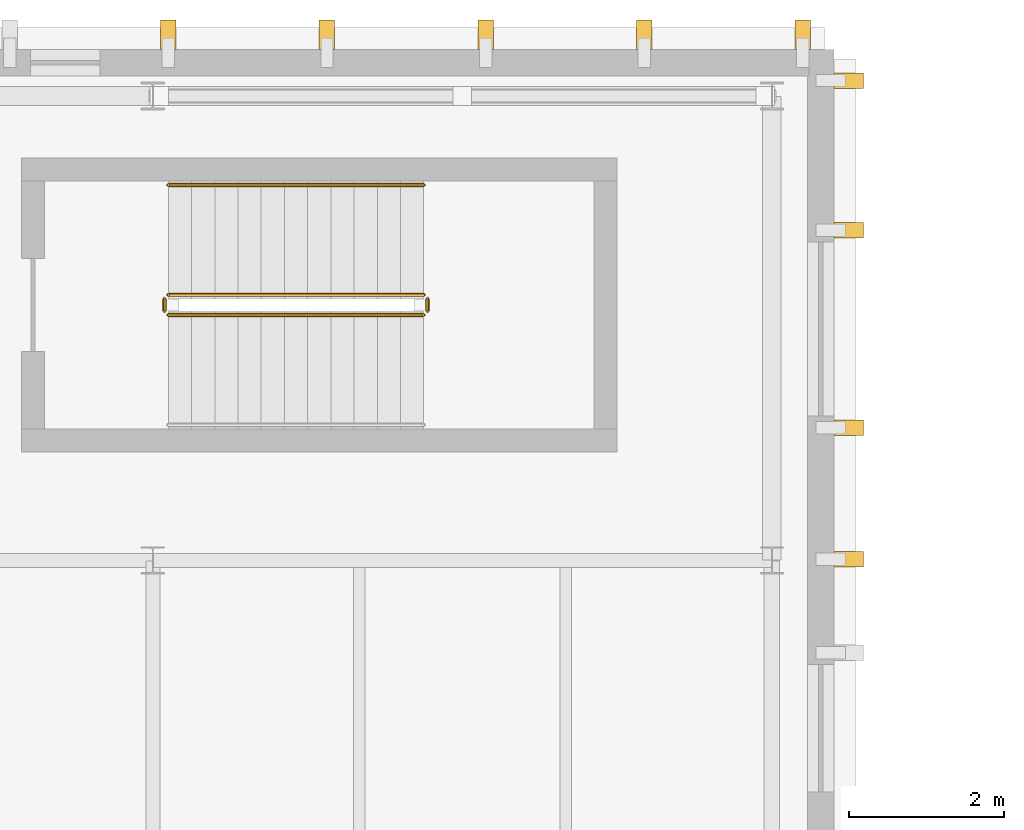
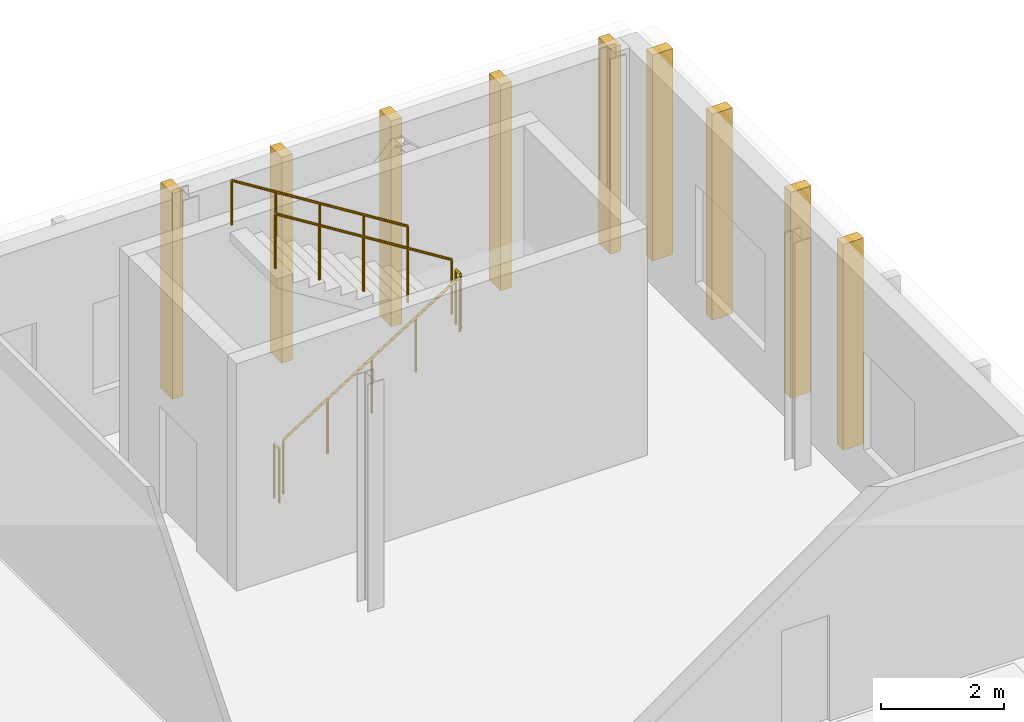
# One storey, part 82 of 86: 9 coverings, 5 railings.
"""IFC4 building model written with IfcOpenShell, lengths in metres."""

from ifc_helpers import new_model, si_unit, direction, frame, origin, origin_2d, place, context, subcontext, project, spatial, rectangle, circle, extrude, material, layer, layer_set, type_object, element, save


model = new_model("IFC4")

# Units and contexts
model_context = context("Model", 3, precision=1e-05, world=origin(), true_north=direction((0.0, 1.0)))
body_context = subcontext(model_context, "Body", "Model", "MODEL_VIEW")
ifc_project = project(units=[si_unit("LENGTHUNIT", "METRE"), si_unit("AREAUNIT", "SQUARE_METRE"), si_unit("VOLUMEUNIT", "CUBIC_METRE"), si_unit("PLANEANGLEUNIT", "RADIAN"), si_unit("MASSUNIT", "GRAM", prefix="KILO")], contexts=[model_context])

# Site, building, storey
site_placement = place(None, origin())
site = spatial("IfcSite", under=ifc_project, at=site_placement, CompositionType="ELEMENT")
building_placement = place(site_placement, origin())
building = spatial("IfcBuilding", under=site, at=building_placement, Name="Cymarion Research Institute", CompositionType="ELEMENT")
storey_placement = place(building_placement, frame((0.0, 0.0, 13.800048828125)))
storey = spatial("IfcBuildingStorey", under=building, at=storey_placement, Name="L03", CompositionType="ELEMENT", Elevation=13.800048828125)

# Railings
ifc_material_1 = material(Name="Steel S355", Category="steel")
railing_type_1 = type_object("IfcRailingType", Name="PAINTED STEEL STAIR GUARDRAIL GR1 1100MM", PredefinedType="GUARDRAIL", material=ifc_material_1)
railing_1_placement = place(storey_placement, frame((38.800048828125, 112.669921875, 0.1875)))
element("IfcRailing", 1, at=railing_1_placement, inside=storey, type_object=railing_type_1, Name="L03 ST10 stair guard 1", PredefinedType="GUARDRAIL", context=body_context, shape_type="SweptSolid", body=[
    extrude(circle(Radius=0.02392578125, at=origin_2d()), frame((0.0, 0.0, 1.076171875), z_axis=(0.848001828478, 0.0, 0.529993300805), x_axis=(0.0, 1.0, 0.0)), (0.0, 0.0, 1.0), 3.8916015625),
    extrude(circle(Radius=0.02099609375, at=origin_2d()), origin(), (0.0, 0.0, 1.0), 1.052001953125),
    extrude(circle(Radius=0.02099609375, at=origin_2d()), frame((0.824951171875, 0.0, 0.515625)), (0.0, 0.0, 1.0), 1.052001953125),
    extrude(circle(Radius=0.02099609375, at=origin_2d()), frame((1.64990234375, 0.0, 1.03125)), (0.0, 0.0, 1.0), 1.052001953125),
    extrude(circle(Radius=0.02099609375, at=origin_2d()), frame((2.47509765625, 0.0, 1.546875)), (0.0, 0.0, 1.0), 1.052001953125),
    extrude(circle(Radius=0.02099609375, at=origin_2d()), frame((3.300048828125, 0.0, 2.0625)), (0.0, 0.0, 1.0), 1.052001953125),
])
railing_2_placement = place(storey_placement, frame((42.14990234375, 112.719970703125, 2.25)))
element("IfcRailing", 2, at=railing_2_placement, inside=storey, type_object=railing_type_1, Name="L03 ST10 stair guard 2", PredefinedType="GUARDRAIL", context=body_context, shape_type="SweptSolid", body=[
    extrude(circle(Radius=0.02392578125, at=origin_2d()), frame((0.0, 0.0, 1.076171875), z_axis=(0.0, 1.0, 0.0), x_axis=(-1.0, 0.0, 0.0)), (0.0, 0.0, 1.0), 0.159912109375),
    extrude(circle(Radius=0.02099609375, at=origin_2d()), origin(), (0.0, 0.0, 1.0), 1.052001953125),
    extrude(circle(Radius=0.02099609375, at=origin_2d()), frame((0.0, 0.159912109375, 0.0)), (0.0, 0.0, 1.0), 1.052001953125),
])
railing_3_placement = place(storey_placement, frame((42.10009765625, 112.929931640625, 2.4375)))
element("IfcRailing", 3, at=railing_3_placement, inside=storey, type_object=railing_type_1, Name="L03 ST10 stair guard 3", PredefinedType="GUARDRAIL", context=body_context, shape_type="SweptSolid", body=[
    extrude(circle(Radius=0.02392578125, at=origin_2d()), frame((0.0, 0.0, 1.076171875), z_axis=(-0.848001828478, 0.0, 0.529993300805), x_axis=(0.0, -1.0, 0.0)), (0.0, 0.0, 1.0), 3.8916015625),
    extrude(circle(Radius=0.02099609375, at=origin_2d()), origin(), (0.0, 0.0, 1.0), 1.052001953125),
    extrude(circle(Radius=0.02099609375, at=origin_2d()), frame((-0.824951171875, 0.0, 0.515625)), (0.0, 0.0, 1.0), 1.052001953125),
    extrude(circle(Radius=0.02099609375, at=origin_2d()), frame((-1.64990234375, 0.0, 1.03125)), (0.0, 0.0, 1.0), 1.052001953125),
    extrude(circle(Radius=0.02099609375, at=origin_2d()), frame((-2.47509765625, 0.0, 1.546875)), (0.0, 0.0, 1.0), 1.052001953125),
    extrude(circle(Radius=0.02099609375, at=origin_2d()), frame((-3.300048828125, 0.0, 2.0625)), (0.0, 0.0, 1.0), 1.052001953125),
])
railing_4_placement = place(storey_placement, frame((38.75, 112.719970703125, 0.0)))
element("IfcRailing", 4, at=railing_4_placement, inside=storey, type_object=railing_type_1, Name="L03 ST10 stair guard 4", PredefinedType="GUARDRAIL", context=body_context, shape_type="SweptSolid", body=[
    extrude(circle(Radius=0.02392578125, at=origin_2d()), frame((0.0, 0.0, 1.076171875), z_axis=(0.0, 1.0, 0.0), x_axis=(-1.0, 0.0, 0.0)), (0.0, 0.0, 1.0), 0.159912109375),
    extrude(circle(Radius=0.02099609375, at=origin_2d()), origin(), (0.0, 0.0, 1.0), 1.052001953125),
    extrude(circle(Radius=0.02099609375, at=origin_2d()), frame((0.0, 0.159912109375, 0.0)), (0.0, 0.0, 1.0), 1.052001953125),
])

# Coverings
ifc_material_2 = material(Name="Precast concrete C45/55 architectural white", Category="concrete")
ifc_layer = layer(ifc_material_2, 0.199951171875)
ifc_layer_set = layer_set([ifc_layer], Name="Precast concrete C45/55 architectural white")
covering_type = type_object("IfcCoveringType", Name="SCULPTURAL WHITE PRECAST CONCRETE VERTICAL RIB RIB1 380X200", PredefinedType="CLADDING", material=ifc_layer_set)
for number, where, z_axis, x_axis, name in (
    (5, (47.592041015625, 109.515380859375, 0.009765625), (0.0, 0.0, 1.0), (1.0, 0.0, 0.0), "L03 V5 sculptural precast vertical rib RIB1 #776"),
    (6, (47.592041015625, 111.21484375, 0.009765625), (0.0, 0.0, 1.0), (1.0, 0.0, 0.0), "L03 V5 sculptural precast vertical rib RIB1 #777"),
    (7, (47.592041015625, 113.764892578125, 0.009765625), (0.0, 0.0, 1.0), (1.0, 0.0, 0.0), "L03 V5 sculptural precast vertical rib RIB1 #778"),
    (8, (47.592041015625, 115.699951171875, 0.009765625), (0.0, 0.0, 1.0), (1.0, 0.0, 0.0), "L03 V5 sculptural precast vertical rib RIB1 #779"),
    (9, (47.0, 116.2919921875, 0.009765625), (0.0, 0.0, 1.0), (0.0, 1.0, 0.0), "L03 V5 sculptural precast vertical rib RIB1 #781"),
    (10, (44.949951171875, 116.2919921875, 0.009765625), (0.0, 0.0, 1.0), (0.0, 1.0, 0.0), "L03 V5 sculptural precast vertical rib RIB1 #782"),
    (11, (42.89990234375, 116.2919921875, 0.009765625), (0.0, 0.0, 1.0), (0.0, 1.0, 0.0), "L03 V5 sculptural precast vertical rib RIB1 #783"),
    (12, (40.85009765625, 116.2919921875, 0.009765625), (0.0, 0.0, 1.0), (0.0, 1.0, 0.0), "L03 V5 sculptural precast vertical rib RIB1 #784"),
    (13, (38.800048828125, 116.2919921875, 0.009765625), (0.0, 0.0, 1.0), (0.0, 1.0, 0.0), "L03 V5 sculptural precast vertical rib RIB1 #785"),
):
    element("IfcCovering", number, at=place(storey_placement, frame(where, z_axis=z_axis, x_axis=x_axis)), inside=storey, type_object=covering_type, Name=name, PredefinedType="CLADDING", context=body_context, shape_type="SweptSolid", body=[
        extrude(rectangle(XDim=0.3798828125, YDim=0.199951171875, at=origin_2d()), origin(), (0.0, 0.0, 1.0), 4.074951171875),
    ])

# Railing
railing_type_2 = type_object("IfcRailingType", Name="STAINLESS STEEL STAIR HANDRAIL HR1 900MM", PredefinedType="HANDRAIL", material=ifc_material_1)
railing_5_placement = place(storey_placement, frame((42.10009765625, 114.35009765625, 2.4375)))
element("IfcRailing", 14, at=railing_5_placement, inside=storey, type_object=railing_type_2, Name="L03 ST10 stair handrail 2", PredefinedType="HANDRAIL", context=body_context, shape_type="SweptSolid", body=[
    extrude(circle(Radius=0.02392578125, at=origin_2d()), frame((0.0, 0.0, 0.8759765625), z_axis=(-0.848001828478, 0.0, 0.529993300805), x_axis=(0.0, -1.0, 0.0)), (0.0, 0.0, 1.0), 3.8916015625),
    extrude(circle(Radius=0.02099609375, at=origin_2d()), origin(), (0.0, 0.0, 1.0), 0.851806640625),
    extrude(circle(Radius=0.02099609375, at=origin_2d()), frame((-0.824951171875, 0.0, 0.515625)), (0.0, 0.0, 1.0), 0.851806640625),
    extrude(circle(Radius=0.02099609375, at=origin_2d()), frame((-1.64990234375, 0.0, 1.03125)), (0.0, 0.0, 1.0), 0.851806640625),
    extrude(circle(Radius=0.02099609375, at=origin_2d()), frame((-2.47509765625, 0.0, 1.546875)), (0.0, 0.0, 1.0), 0.851806640625),
    extrude(circle(Radius=0.02099609375, at=origin_2d()), frame((-3.300048828125, 0.0, 2.0625)), (0.0, 0.0, 1.0), 0.851806640625),
])

save(model, "model.ifc")
